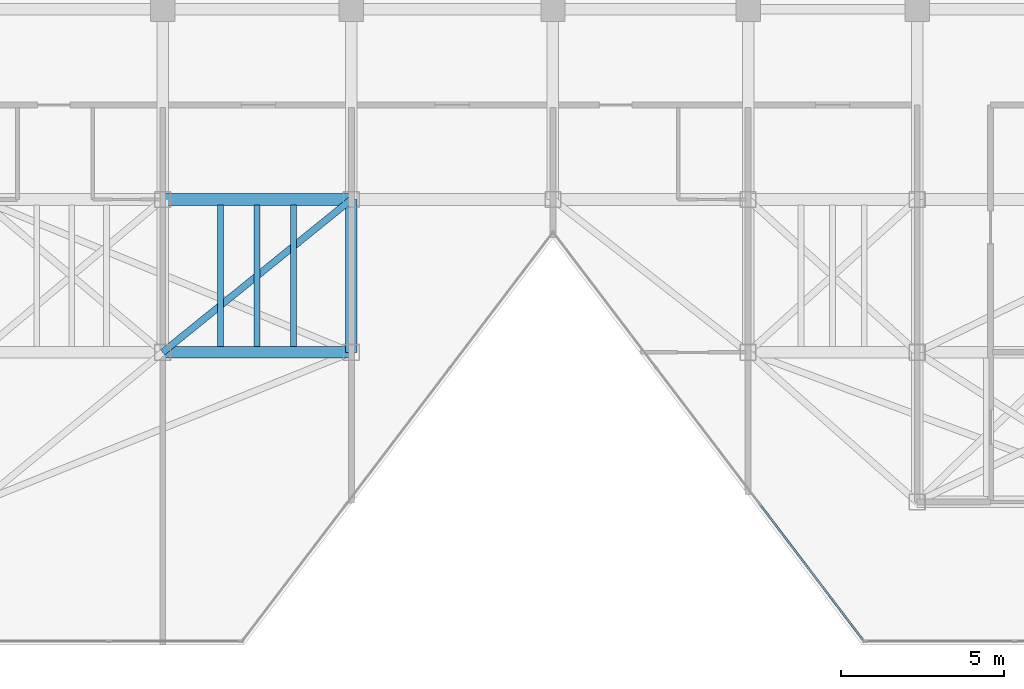
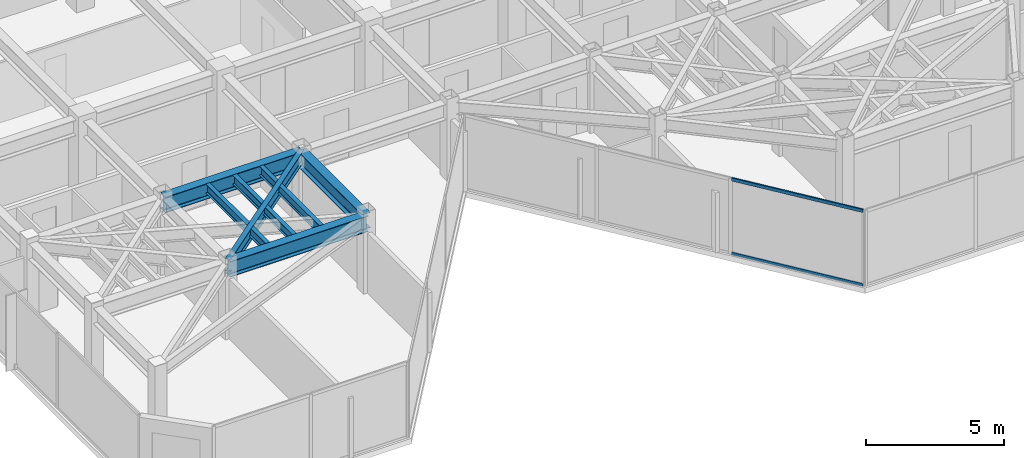
# One storey, part 7 of 19: 7 beams, 2 members, 1 element without a shape of its own.
"""IFC4 building model written with IfcOpenShell, lengths in metres."""

from ifc_helpers import new_model, si_unit, direction, frame, origin, origin_2d, place, context, subcontext, project, spatial, hollow_rectangle, i_section, extrude, material, layer, layer_set, material_profile, profile_set, type_object, element, aggregate, save


model = new_model("IFC4")

# Units and contexts
model_context = context("Model", 3, precision=1e-05, world=origin(), true_north=direction((0.0, 1.0)))
body_context = subcontext(model_context, "Body", "Model", "MODEL_VIEW")
ifc_project = project(units=[si_unit("LENGTHUNIT", "METRE"), si_unit("AREAUNIT", "SQUARE_METRE"), si_unit("VOLUMEUNIT", "CUBIC_METRE"), si_unit("PLANEANGLEUNIT", "RADIAN"), si_unit("MASSUNIT", "GRAM", prefix="KILO")], contexts=[model_context])

# Site, building, storey
site_placement = place(None, origin())
site = spatial("IfcSite", under=ifc_project, at=site_placement, CompositionType="ELEMENT")
building_placement = place(site_placement, origin())
building = spatial("IfcBuilding", under=site, at=building_placement, Name="Kravanh Interchange Tower", CompositionType="ELEMENT")
storey_placement = place(building_placement, frame((0.0, 0.0, 259.800048828125)))
storey = spatial("IfcBuildingStorey", under=building, at=storey_placement, Name="L63", CompositionType="ELEMENT", Elevation=259.800048828125)

# Curtain wall, members
ifc_material_1 = material(Name="Anodised Bronze Aluminium", Category="aluminium")
ifc_layer = layer(ifc_material_1, 0.179931640625)
ifc_layer_set = layer_set([ifc_layer], Name="Unitised Curtain Wall System CW-HTL Luxury Hotel")
curtain_wall_type = type_object("IfcCurtainWallType", Name="Unitised Curtain Wall System CW-HTL Luxury Hotel", PredefinedType="NOTDEFINED", material=ifc_layer_set)
curtain_wall_placement = place(storey_placement, origin())
curtain_wall = element("IfcCurtainWall", 1, at=curtain_wall_placement, inside=storey, type_object=curtain_wall_type, Name="L63 Unitised Curtain Wall CW-L63-04", PredefinedType="NOTDEFINED")
ifc_material_2 = material(Name="Anodised Bronze Aluminium", Category="aluminium")
ifc_material_profile_1 = material_profile(ifc_material_2, hollow_rectangle(XDim=0.06005859375, YDim=0.139892578125, WallThickness=0.00390625, at=origin_2d()), Name="ALU60X140X4")
ifc_profile_set_1 = profile_set([ifc_material_profile_1], Name="Anodised Bronze Aluminium")
member_type = type_object("IfcMemberType", Name="Curtain Wall Transom ALU60X140X4 Bronze", PredefinedType="USERDEFINED", material=ifc_profile_set_1)
member_1_placement = place(storey_placement, frame((54.3232421875, 17.9677734375, 0.030029296875), z_axis=(-0.605089246946, 0.796157649734, 0.0), x_axis=(-0.796157649734, -0.605089246946, 0.0)))
member_1 = element("IfcMember", 2, at=member_1_placement, type_object=member_type, Name="CW-HTL transom 1.1", ObjectType="TRANSOM", PredefinedType="USERDEFINED", context=body_context, shape_type="SweptSolid", body=[
    extrude(hollow_rectangle(XDim=0.06005859375, YDim=0.139892578125, WallThickness=0.00390625, at=origin_2d()), origin(), (0.0, 0.0, 1.0), 5.17626953125),
])
member_2_placement = place(storey_placement, frame((54.3232421875, 17.9677734375, 3.320068359375), z_axis=(-0.605089246946, 0.796157649734, 0.0), x_axis=(-0.796157649734, -0.605089246946, 0.0)))
member_2 = element("IfcMember", 3, at=member_2_placement, type_object=member_type, Name="CW-HTL transom 1.2", ObjectType="TRANSOM", PredefinedType="USERDEFINED", context=body_context, shape_type="SweptSolid", body=[
    extrude(hollow_rectangle(XDim=0.06005859375, YDim=0.139892578125, WallThickness=0.00390625, at=origin_2d()), origin(), (0.0, 0.0, 1.0), 5.17626953125),
])
aggregate(curtain_wall, [member_1, member_2])

# Beams
ifc_material_3 = material(Name="Structural Steel S355", Category="steel")
ifc_material_profile_2 = material_profile(ifc_material_3, i_section(OverallWidth=0.35498046875, OverallDepth=0.696044921875, WebThickness=0.015380859375, FlangeThickness=0.02490234375, FilletRadius=0.02392578125, at=origin_2d()), Name="W27X146")
ifc_profile_set_2 = profile_set([ifc_material_profile_2], Name="Structural Steel S355")
beam_type_1 = type_object("IfcBeamType", Name="Floor Beam W27X146 Structural Steel S355", PredefinedType="BEAM", material=ifc_profile_set_2)
beam_1_placement = place(storey_placement, frame((38.60009765625, 31.5, 3.001953125), z_axis=(0.0, -1.0, 0.0), x_axis=(1.0, 0.0, 0.0)))
element("IfcBeam", 4, at=beam_1_placement, inside=storey, type_object=beam_type_1, Name="L63 Primary Floor Girder 17", PredefinedType="BEAM", context=body_context, shape_type="SweptSolid", body=[
    extrude(i_section(OverallWidth=0.35498046875, OverallDepth=0.696044921875, WebThickness=0.015380859375, FlangeThickness=0.02490234375, FilletRadius=0.02392578125, at=origin_2d()), origin(), (0.0, 0.0, 1.0), 4.699951171875),
])
for number, where, z_axis, x_axis, name in (
    (5, (38.60009765625, 31.5, 3.001953125), (-1.0, 0.0, 0.0), (0.0, -1.0, 0.0), "L63 Primary Floor Girder 18"),
    (6, (38.60009765625, 26.800048828125, 3.001953125), (-1.0, 0.0, 0.0), (0.0, -1.0, 0.0), "L63 Primary Floor Girder 29"),
):
    element("IfcBeam", number, at=place(storey_placement, frame(where, z_axis=z_axis, x_axis=x_axis)), inside=storey, type_object=beam_type_1, Name=name, PredefinedType="BEAM", context=body_context, shape_type="SweptSolid", body=[
        extrude(i_section(OverallWidth=0.35498046875, OverallDepth=0.696044921875, WebThickness=0.015380859375, FlangeThickness=0.02490234375, FilletRadius=0.02392578125, at=origin_2d()), origin(), (0.0, 0.0, 1.0), 5.800048828125),
    ])
ifc_material_4 = material(Name="Structural Steel S355", Category="steel")
ifc_material_profile_3 = material_profile(ifc_material_4, i_section(OverallWidth=0.177978515625, OverallDepth=0.406005859375, WebThickness=0.0078125, FlangeThickness=0.0126953125, FilletRadius=0.01611328125, at=origin_2d()), Name="W16X40")
ifc_profile_set_3 = profile_set([ifc_material_profile_3], Name="Structural Steel S355")
beam_type_2 = type_object("IfcBeamType", Name="Floor Joist W16X40 Structural Steel S355", PredefinedType="JOIST", material=ifc_profile_set_3)
for number, where, z_axis, x_axis, name in (
    (7, (34.574951171875, 26.972412109375, 3.14697265625), (0.0, 1.0, 0.0), (-1.0, 0.0, 0.0), "L63 Secondary Floor Joist 7"),
    (8, (35.699951171875, 26.972412109375, 3.14697265625), (0.0, 1.0, 0.0), (-1.0, 0.0, 0.0), "L63 Secondary Floor Joist 8"),
    (9, (36.824951171875, 26.972412109375, 3.14697265625), (0.0, 1.0, 0.0), (-1.0, 0.0, 0.0), "L63 Secondary Floor Joist 9"),
):
    element("IfcBeam", number, at=place(storey_placement, frame(where, z_axis=z_axis, x_axis=x_axis)), inside=storey, type_object=beam_type_2, Name=name, PredefinedType="JOIST", context=body_context, shape_type="SweptSolid", body=[
        extrude(i_section(OverallWidth=0.177978515625, OverallDepth=0.406005859375, WebThickness=0.0078125, FlangeThickness=0.0126953125, FilletRadius=0.01611328125, at=origin_2d()), origin(), (0.0, 0.0, 1.0), 4.35498046875),
    ])
ifc_material_5 = material(Name="Structural Steel S355", Category="steel")
ifc_material_profile_4 = material_profile(ifc_material_5, i_section(OverallWidth=0.2099609375, OverallDepth=0.537109375, WebThickness=0.010986328125, FlangeThickness=0.017333984375, FilletRadius=0.02001953125, at=origin_2d()), Name="W21X68")
ifc_profile_set_4 = profile_set([ifc_material_profile_4], Name="Structural Steel S355")
beam_type_3 = type_object("IfcBeamType", Name="Floor Spandrel W21X68 Structural Steel S355", PredefinedType="SPANDREL", material=ifc_profile_set_4)
beam_2_placement = place(storey_placement, frame((38.60009765625, 31.5, 3.08154296875), z_axis=(-0.776938619557, -0.629576350764, 0.0), x_axis=(0.629576350764, -0.776938619557, 0.0)))
element("IfcBeam", 10, at=beam_2_placement, inside=storey, type_object=beam_type_3, Name="L63 Perimeter Spandrel 20", PredefinedType="SPANDREL", context=body_context, shape_type="SweptSolid", body=[
    extrude(i_section(OverallWidth=0.2099609375, OverallDepth=0.537109375, WebThickness=0.010986328125, FlangeThickness=0.017333984375, FilletRadius=0.02001953125, at=origin_2d()), origin(), (0.0, 0.0, 1.0), 7.46533203125),
])

save(model, "model.ifc")
